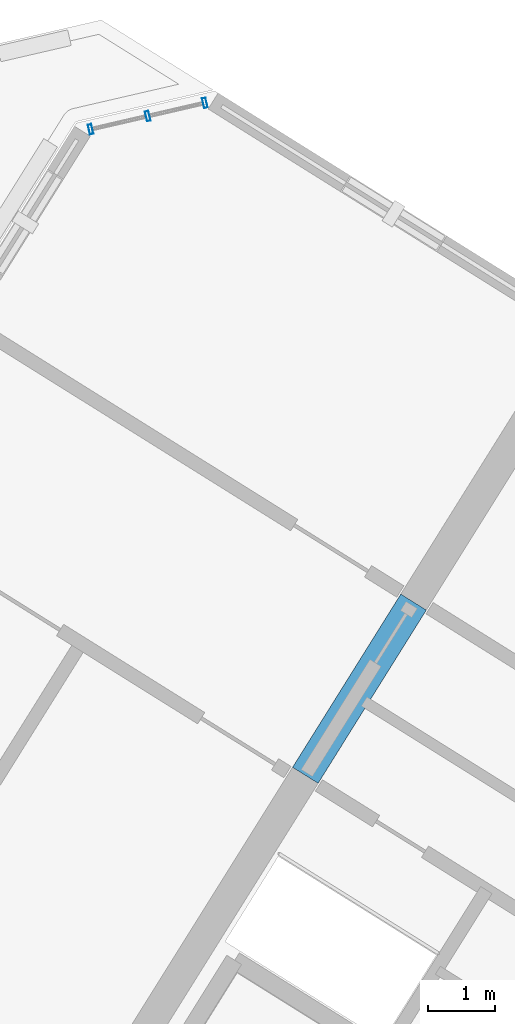
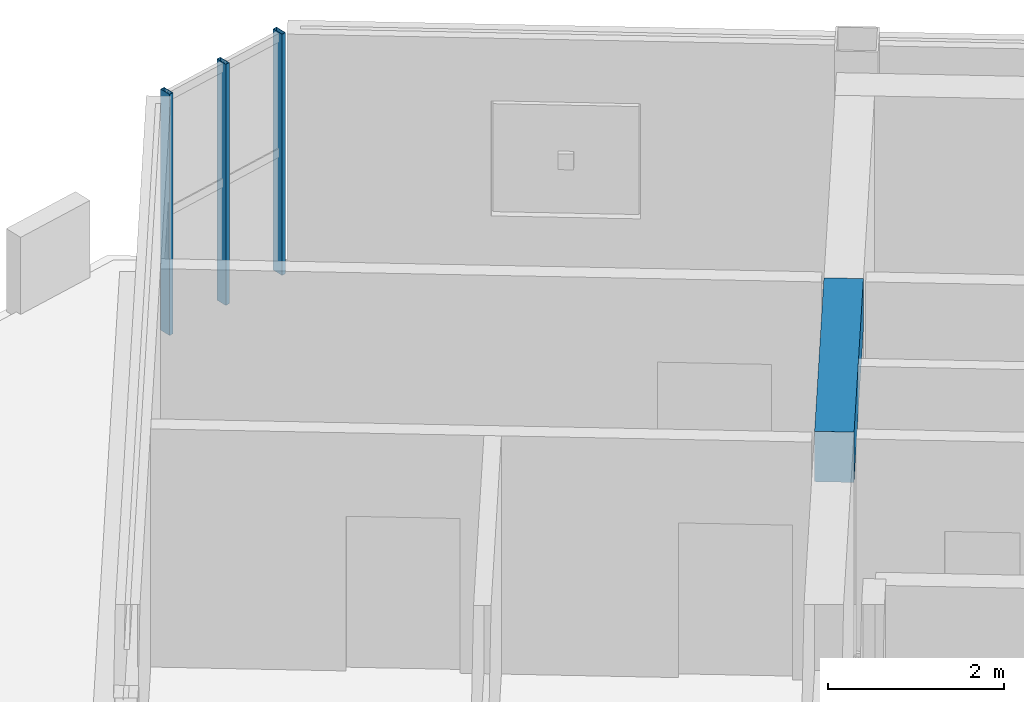
# One storey, part 3 of 9: 3 members, 1 beam, 1 element without a shape of its own.
"""IFC4 building model written with IfcOpenShell, lengths in metres."""

from ifc_helpers import new_model, si_unit, direction, frame, origin, origin_2d, place, context, subcontext, project, spatial, rectangle, hollow_rectangle, extrude, source, transform, mapped, material, material_profile, profile_set, type_object, element, aggregate, save


model = new_model("IFC4")

# Units and contexts
model_context = context("Model", 3, precision=1e-05, world=origin(), true_north=direction((0.0, 1.0)))
body_context = subcontext(model_context, "Body", "Model", "MODEL_VIEW")
ifc_project = project(units=[si_unit("LENGTHUNIT", "METRE"), si_unit("AREAUNIT", "SQUARE_METRE"), si_unit("VOLUMEUNIT", "CUBIC_METRE"), si_unit("PLANEANGLEUNIT", "RADIAN"), si_unit("MASSUNIT", "GRAM", prefix="KILO")], contexts=[model_context])

# Site, building, storey
site_placement = place(None, origin())
site = spatial("IfcSite", under=ifc_project, at=site_placement, CompositionType="ELEMENT")
building_placement = place(site_placement, origin())
building = spatial("IfcBuilding", under=site, at=building_placement, Name="Tlacorven Tower", CompositionType="ELEMENT")
storey_placement = place(building_placement, frame((0.0, 0.0, 306.0)))
storey = spatial("IfcBuildingStorey", under=building, at=storey_placement, Name="L78", CompositionType="ELEMENT", Elevation=306.0)

# Beam
ifc_material_1 = material(Name="Concrete C60/75", Category="concrete")
ifc_material_profile_1 = material_profile(ifc_material_1, rectangle(XDim=0.449951171875, YDim=0.699951171875, at=origin_2d()), Name="RC 450X700")
ifc_profile_set_1 = profile_set([ifc_material_profile_1], Name="Concrete C60/75")
beam_type = type_object("IfcBeamType", Name="BM-LNT-700", PredefinedType="LINTEL", material=ifc_profile_set_1)
shared_shape_1 = source(origin(), body_context, "Body", "SweptSolid", [
    extrude(rectangle(XDim=0.449951171875, YDim=0.699951171875, at=origin_2d()), origin(), (0.0, 0.0, 1.0), 3.0498046875),
])
beam_placement = place(storey_placement, frame((27.622802734375, 27.562255859375, 2.969970703125), z_axis=(-0.529926983584, -0.848043272522, 0.0), x_axis=(0.848043272522, -0.529926983584, 0.0)))
element("IfcBeam", 1, at=beam_placement, inside=storey, type_object=beam_type, Name="L78 W core coupling lintel beam E2", PredefinedType="LINTEL", context=body_context, shape_type="MappedRepresentation", body=[
    mapped(shared_shape_1, transform((0.0, 0.0, 0.0), scale=1.0)),
])

# Curtain wall, members
ifc_material_2 = material(Name="Dark solar low-E double glazing in aluminium frame", Category="aluminium")
curtain_wall_type = type_object("IfcCurtainWallType", Name="CW-CRN-LANTERN", PredefinedType="USERDEFINED", material=ifc_material_2)
curtain_wall_placement = place(storey_placement, origin())
curtain_wall = element("IfcCurtainWall", 2, at=curtain_wall_placement, inside=storey, type_object=curtain_wall_type, Name="L78 CW-CRN-LANTERN Curtain Wall 361", ObjectType="UNITISED CURTAIN WALL", PredefinedType="USERDEFINED")
ifc_material_3 = material(Name="Aluminium 6063-T6 anodised", Category="aluminium")
ifc_material_profile_2 = material_profile(ifc_material_3, hollow_rectangle(XDim=0.054931640625, YDim=0.14990234375, WallThickness=0.00390625, at=origin_2d()), Name="ALU MULLION 55X150")
ifc_profile_set_2 = profile_set([ifc_material_profile_2], Name="Aluminium 6063-T6 anodised")
member_type = type_object("IfcMemberType", Name="CWM-04", PredefinedType="MULLION", material=ifc_profile_set_2)
shared_shape_2 = source(origin(), body_context, "Body", "SweptSolid", [
    extrude(hollow_rectangle(XDim=0.054931640625, YDim=0.14990234375, WallThickness=0.00390625, at=origin_2d()), origin(), (0.0, 0.0, 1.0), 3.35009765625),
])
member_1_placement = place(storey_placement, frame((22.801513671875, 34.6220703125, -0.02001953125), z_axis=(0.0, 0.0, 1.0), x_axis=(0.97437037555, 0.22494970827, 0.0)))
member_1 = element("IfcMember", 3, at=member_1_placement, type_object=member_type, Name="CW-L78-361 Mullion 1", PredefinedType="MULLION", context=body_context, shape_type="MappedRepresentation", body=[
    mapped(shared_shape_2, transform((0.0, 0.0, 0.0), scale=1.0)),
])
member_2_placement = place(storey_placement, frame((23.654296875, 34.819091796875, -0.02001953125), z_axis=(0.0, 0.0, 1.0), x_axis=(0.97437037555, 0.22494970827, 0.0)))
member_2 = element("IfcMember", 4, at=member_2_placement, type_object=member_type, Name="CW-L78-361 Mullion 2", PredefinedType="MULLION", context=body_context, shape_type="MappedRepresentation", body=[
    mapped(shared_shape_2, transform((0.0, 0.0, 0.0), scale=1.0)),
])
member_3_placement = place(storey_placement, frame((24.507080078125, 35.015869140625, -0.02001953125), z_axis=(0.0, 0.0, 1.0), x_axis=(0.97437037555, 0.22494970827, 0.0)))
member_3 = element("IfcMember", 5, at=member_3_placement, type_object=member_type, Name="CW-L78-361 Mullion 3", PredefinedType="MULLION", context=body_context, shape_type="MappedRepresentation", body=[
    mapped(shared_shape_2, transform((0.0, 0.0, 0.0), scale=1.0)),
])
aggregate(curtain_wall, [member_1, member_2, member_3])

save(model, "model.ifc")
